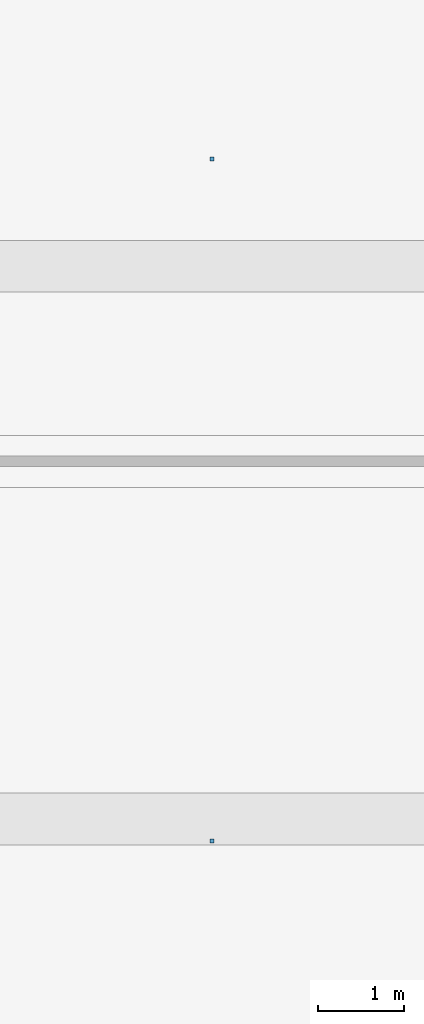
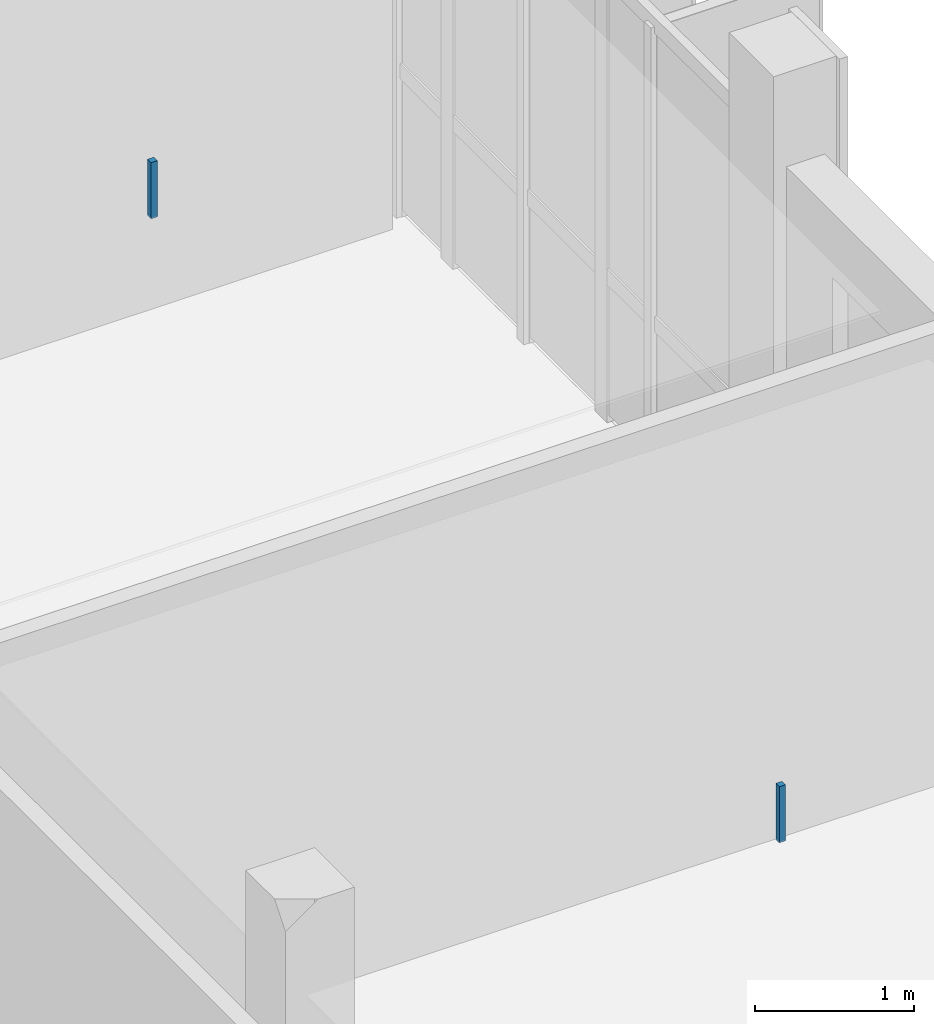
# One storey, part 66 of 85: 2 discrete accessories.
"""IFC4 building model written with IfcOpenShell, lengths in metres."""

from ifc_helpers import new_model, si_unit, derived_unit, direction, frame, origin, origin_2d, place, context, subcontext, project, spatial, rectangle, extrude, material, type_object, element, save


model = new_model("IFC4")

# Units and contexts
model_context = context("Model", 3, precision=1e-05, world=origin(), true_north=direction((0.0, 1.0)))
body_context = subcontext(model_context, "Body", "Model", "MODEL_VIEW")
ifc_project = project(units=[si_unit("LENGTHUNIT", "METRE"), si_unit("AREAUNIT", "SQUARE_METRE"), si_unit("VOLUMEUNIT", "CUBIC_METRE"), si_unit("PLANEANGLEUNIT", "RADIAN"), si_unit("MASSUNIT", "GRAM", prefix="KILO"), derived_unit("THERMALTRANSMITTANCEUNIT", [(si_unit("POWERUNIT", "WATT"), 1), (si_unit("LENGTHUNIT", "METRE"), -2), (si_unit("THERMODYNAMICTEMPERATUREUNIT", "KELVIN"), -1)])], contexts=[model_context])

# Site, building, storey
site_placement = place(None, origin())
site = spatial("IfcSite", under=ifc_project, at=site_placement, CompositionType="ELEMENT")
building_placement = place(site_placement, origin())
building = spatial("IfcBuilding", under=site, at=building_placement, Name="Braskholm Square Health Centre", CompositionType="ELEMENT")
storey_placement = place(building_placement, frame((0.0, 0.0, 9.300048828125)))
storey = spatial("IfcBuildingStorey", under=building, at=storey_placement, Name="L03", CompositionType="ELEMENT", Elevation=9.300048828125)

# Discrete accessories
ifc_material = material(Name="Steel ASTM A500 Grade C", Category="steel")
discrete_accessory_type = type_object("IfcDiscreteAccessoryType", Name="CeilingSuspensionBracket", PredefinedType="BRACKET", material=ifc_material)
for number, where, z_axis, x_axis, name in (
    (1, (159.93994140625, 23.14501953125, 3.48193359375), (0.0, 0.0, 1.0), (1.0, 0.0, 0.0), "Ceiling hanger bracket 0153"),
    (2, (159.93994140625, 31.0400390625, 3.48193359375), (0.0, 0.0, 1.0), (1.0, 0.0, 0.0), "Ceiling hanger bracket 0154"),
):
    element("IfcDiscreteAccessory", number, at=place(storey_placement, frame(where, z_axis=z_axis, x_axis=x_axis)), inside=storey, type_object=discrete_accessory_type, Name=name, PredefinedType="BRACKET", context=body_context, shape_type="SweptSolid", body=[
        extrude(rectangle(XDim=0.044921875, YDim=0.044921875, at=origin_2d()), origin(), (0.0, 0.0, 1.0), 0.429931640625),
    ])

save(model, "model.ifc")
